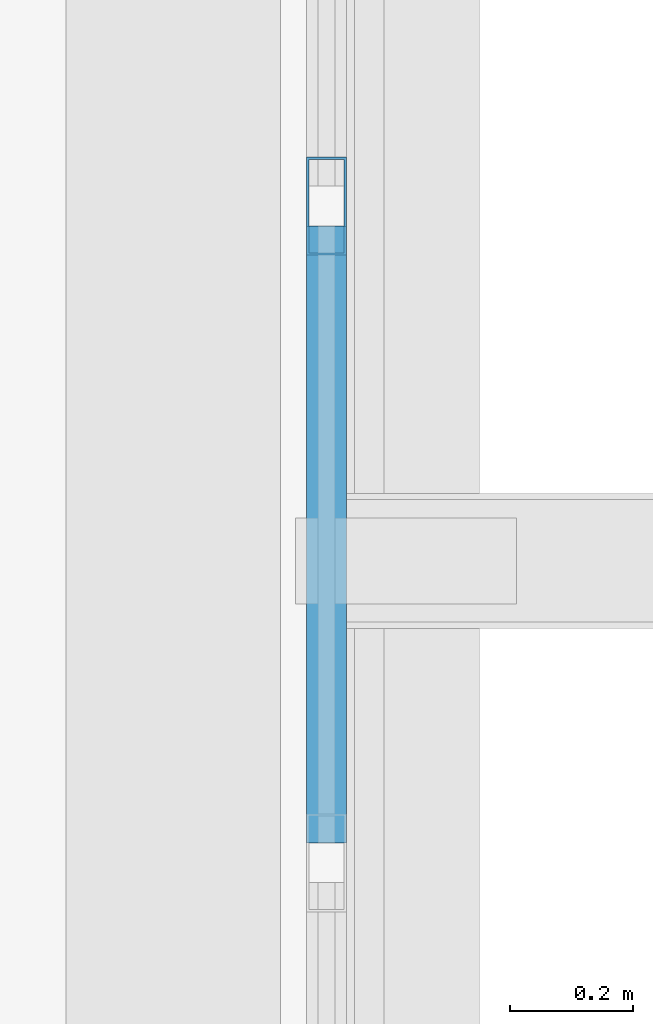
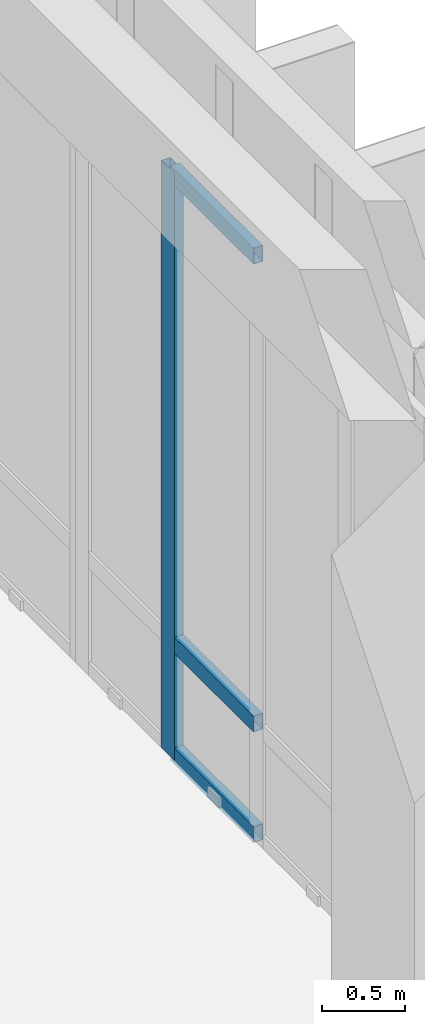
# One storey, part 69 of 134: 4 members, 1 element without a shape of its own.
"""IFC4 building model written with IfcOpenShell, lengths in metres."""

from ifc_helpers import new_model, si_unit, direction, frame, origin, origin_2d, place, context, subcontext, project, spatial, hollow_rectangle, extrude, material, layer, layer_set, material_profile, profile_set, type_object, element, aggregate, save


model = new_model("IFC4")

# Units and contexts
model_context = context("Model", 3, precision=1e-05, world=origin(), true_north=direction((0.0, 1.0)))
body_context = subcontext(model_context, "Body", "Model", "MODEL_VIEW")
ifc_project = project(units=[si_unit("LENGTHUNIT", "METRE"), si_unit("AREAUNIT", "SQUARE_METRE"), si_unit("VOLUMEUNIT", "CUBIC_METRE"), si_unit("PLANEANGLEUNIT", "RADIAN"), si_unit("MASSUNIT", "GRAM", prefix="KILO")], contexts=[model_context])

# Site, building, storey
site_placement = place(None, origin())
site = spatial("IfcSite", under=ifc_project, at=site_placement, CompositionType="ELEMENT")
building_placement = place(site_placement, origin())
building = spatial("IfcBuilding", under=site, at=building_placement, Name="Nakhvara Creek Congress Hotel", CompositionType="ELEMENT")
storey_placement = place(building_placement, frame((0.0, 0.0, 6.0)))
storey = spatial("IfcBuildingStorey", under=building, at=storey_placement, Name="L01", CompositionType="ELEMENT", Elevation=6.0)

# Curtain wall, members
ifc_material_1 = material(Name="Bronze-anodised aluminium AW-6063-T6 and double-silver low-E glass", Category="aluminium")
ifc_layer = layer(ifc_material_1, 0.199951171875)
ifc_layer_set = layer_set([ifc_layer], Name="Bronze-anodised aluminium AW-6063-T6 and double-silver low-E glass")
curtain_wall_type = type_object("IfcCurtainWallType", Name="CW-HTL-UNIT", PredefinedType="USERDEFINED", material=ifc_layer_set)
curtain_wall_placement = place(storey_placement, origin())
curtain_wall = element("IfcCurtainWall", 1, at=curtain_wall_placement, inside=storey, type_object=curtain_wall_type, Name="Curtain Wall CW114", ObjectType="UNITISED", PredefinedType="USERDEFINED")
ifc_material_2 = material(Name="Bronze-anodised aluminium AW-6063-T6", Category="aluminium")
ifc_material_profile_1 = material_profile(ifc_material_2, hollow_rectangle(XDim=0.06494140625, YDim=0.159912109375, WallThickness=0.00390625, at=origin_2d()), Name="ALU-MULL 65x160x4", Category="LoadBearing")
ifc_profile_set_1 = profile_set([ifc_material_profile_1], Name="Bronze-anodised aluminium AW-6063-T6")
member_type_1 = type_object("IfcMemberType", Name="CW-MULL-160", PredefinedType="MULLION", material=ifc_profile_set_1)
member_1_placement = place(storey_placement, frame((179.60009765625, 61.328857421875, 0.0), z_axis=(0.0, 0.0, 1.0), x_axis=(1.0, 0.0, 0.0)))
member_1 = element("IfcMember", 2, at=member_1_placement, type_object=member_type_1, Name="CW114 mullion 2", PredefinedType="MULLION", context=body_context, shape_type="SweptSolid", body=[
    extrude(hollow_rectangle(XDim=0.06494140625, YDim=0.159912109375, WallThickness=0.00390625, at=origin_2d()), origin(), (0.0, 0.0, 1.0), 4.342041015625),
])
ifc_material_profile_2 = material_profile(ifc_material_2, hollow_rectangle(XDim=0.06494140625, YDim=0.1201171875, WallThickness=0.00390625, at=origin_2d()), Name="ALU-TRAN 65x120x4", Category="LoadBearing")
ifc_profile_set_2 = profile_set([ifc_material_profile_2], Name="Bronze-anodised aluminium AW-6063-T6")
member_type_2 = type_object("IfcMemberType", Name="CW-TRAN-120", PredefinedType="USERDEFINED", material=ifc_profile_set_2)
member_2_placement = place(storey_placement, frame((179.60009765625, 61.296142578125, 0.032470703125), z_axis=(0.0, -1.0, 0.0), x_axis=(1.0, 0.0, 0.0)))
member_2 = element("IfcMember", 3, at=member_2_placement, type_object=member_type_2, Name="CW114 transom 2.1", ObjectType="TRANSOM", PredefinedType="USERDEFINED", context=body_context, shape_type="SweptSolid", body=[
    extrude(hollow_rectangle(XDim=0.06494140625, YDim=0.1201171875, WallThickness=0.00390625, at=origin_2d()), origin(), (0.0, 0.0, 1.0), 1.006103515625),
])
member_3_placement = place(storey_placement, frame((179.60009765625, 61.296142578125, 0.85009765625), z_axis=(0.0, -1.0, 0.0), x_axis=(1.0, 0.0, 0.0)))
member_3 = element("IfcMember", 4, at=member_3_placement, type_object=member_type_2, Name="CW114 transom 2.2", ObjectType="TRANSOM", PredefinedType="USERDEFINED", context=body_context, shape_type="SweptSolid", body=[
    extrude(hollow_rectangle(XDim=0.06494140625, YDim=0.1201171875, WallThickness=0.00390625, at=origin_2d()), origin(), (0.0, 0.0, 1.0), 1.006103515625),
])
member_4_placement = place(storey_placement, frame((179.60009765625, 61.296142578125, 4.3095703125), z_axis=(0.0, -1.0, 0.0), x_axis=(1.0, 0.0, 0.0)))
member_4 = element("IfcMember", 5, at=member_4_placement, type_object=member_type_2, Name="CW114 transom 2.3", ObjectType="TRANSOM", PredefinedType="USERDEFINED", context=body_context, shape_type="SweptSolid", body=[
    extrude(hollow_rectangle(XDim=0.06494140625, YDim=0.1201171875, WallThickness=0.00390625, at=origin_2d()), origin(), (0.0, 0.0, 1.0), 1.006103515625),
])
aggregate(curtain_wall, [member_1, member_2, member_3, member_4])

save(model, "model.ifc")
